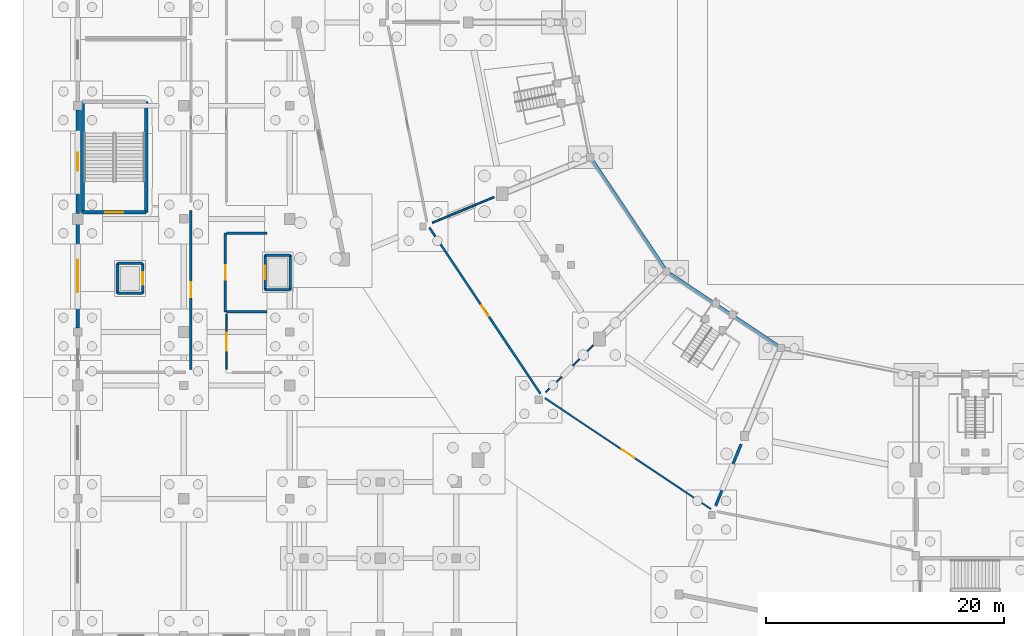
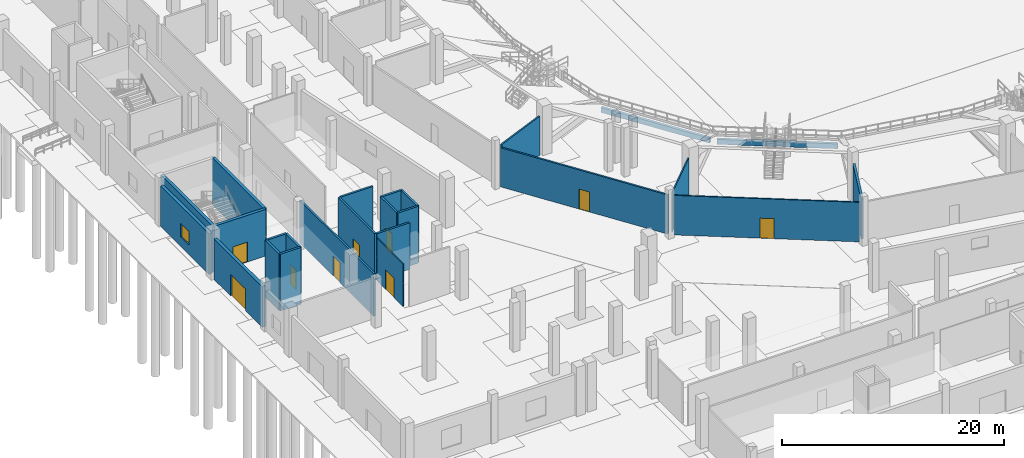
# One storey, part 25 of 68: 25 walls, 9 doors, 1 window, 10 openings.
"""IFC4 building model written with IfcOpenShell, lengths in metres."""

from ifc_helpers import new_model, si_unit, direction, frame, frame_2d, origin, place, context, subcontext, project, spatial, rectangle, extrude, material, layer, layer_set, type_object, element, fill, save


model = new_model("IFC4")

# Units and contexts
model_context = context("Model", 3, precision=1e-05, world=origin(), true_north=direction((0.0, 1.0)))
body_context = subcontext(model_context, "Body", "Model", "MODEL_VIEW")
ifc_project = project(units=[si_unit("LENGTHUNIT", "METRE"), si_unit("AREAUNIT", "SQUARE_METRE"), si_unit("VOLUMEUNIT", "CUBIC_METRE"), si_unit("PLANEANGLEUNIT", "RADIAN"), si_unit("MASSUNIT", "GRAM", prefix="KILO")], contexts=[model_context])

# Site, building, storey
site_placement = place(None, origin())
site = spatial("IfcSite", under=ifc_project, at=site_placement, CompositionType="ELEMENT")
building_placement = place(site_placement, origin())
building = spatial("IfcBuilding", under=site, at=building_placement, Name="Candeia Ridge Stadium", CompositionType="ELEMENT")
storey_placement = place(building_placement, origin())
storey = spatial("IfcBuildingStorey", under=building, at=storey_placement, Name="L00", CompositionType="ELEMENT", Elevation=0.0)

# Walls
ifc_material_1 = material(Name="Concrete Masonry Blockwork C25/30", Category="masonry")
ifc_layer_1 = layer(ifc_material_1, 0.14990234375, Name="Concrete Masonry Blockwork C25/30", Category="masonry")
ifc_layer_set_1 = layer_set([ifc_layer_1], Name="Concrete Masonry Blockwork C25/30")
wall_type_1 = type_object("IfcWallType", Name="Concourse Kiosk Partition 150", PredefinedType="PARTITIONING", material=ifc_layer_set_1)
wall_1_placement = place(storey_placement, frame((35.5693359375, 56.32421875, 0.0), z_axis=(0.0, 0.0, 1.0), x_axis=(-0.923879745429, -0.382682918336, 0.0)))
element("IfcWall", 1, at=wall_1_placement, inside=storey, type_object=wall_type_1, Name="Demising partition PT-L00-0139", PredefinedType="PARTITIONING", context=body_context, shape_type="SweptSolid", body=[
    extrude(rectangle(XDim=5.60009765625, YDim=0.14990234375, at=frame_2d((2.800048828125, 0.0))), origin(), (0.0, 0.0, 1.0), 4.304931640625),
])
ifc_material_2 = material(Name="Concrete C45/55", Category="concrete")
ifc_layer_2 = layer(ifc_material_2, 0.300048828125, Name="Concrete C45/55", Category="concrete")
ifc_layer_set_2 = layer_set([ifc_layer_2], Name="Concrete C45/55")
wall_type_2 = type_object("IfcWallType", Name="Core Shear Wall Concrete 300", PredefinedType="SHEAR", material=ifc_layer_set_2)
for number, where, z_axis, x_axis, name in (
    (2, (6.349609375, 55.05029296875, 0.0), (0.0, 0.0, 1.0), (0.0, 1.0, 0.0), "Core C05 left shear wall L00"),
    (3, (1.00048828125, 64.349609375, 0.0), (0.0, 0.0, 1.0), (0.0, -1.0, 0.0), "Core C05 right shear wall L00"),
):
    element("IfcWall", number, at=place(storey_placement, frame(where, z_axis=z_axis, x_axis=x_axis)), inside=storey, type_object=wall_type_2, Name=name, PredefinedType="SHEAR", context=body_context, shape_type="SweptSolid", body=[
        extrude(rectangle(XDim=9.29931640625, YDim=0.300048828125, at=frame_2d((4.649658203125, 0.0))), origin(), (0.0, 0.0, 1.0), 5.139892578125),
    ])

# Wall, opening, door
wall_2_placement = place(storey_placement, frame((1.00048828125, 55.05029296875, 0.0), z_axis=(0.0, 0.0, 1.0), x_axis=(1.0, 0.0, 0.0)))
wall_2 = element("IfcWall", 4, at=wall_2_placement, inside=storey, type_object=wall_type_2, Name="Core C05 near shear wall L00", PredefinedType="SHEAR", context=body_context, shape_type="SweptSolid", body=[
    extrude(rectangle(XDim=5.34912109375, YDim=0.300048828125, at=frame_2d((2.674560546875, 0.0))), origin(), (0.0, 0.0, 1.0), 5.139892578125),
])
opening_1_placement = place(wall_2_placement, frame((1.924560546875, 0.0, 0.0)))
opening_1 = element("IfcOpeningElement", 5, at=opening_1_placement, cuts=wall_2, Name="Opening FD01", PredefinedType="OPENING", context=body_context, shape_type="SweptSolid", body=[
    extrude(rectangle(XDim=1.5, YDim=2.199951171875, at=frame_2d((0.75, 1.10009765625))), frame((0.0, 0.159912109375, 0.0), z_axis=(0.0, -1.0, 0.0), x_axis=(1.0, 0.0, 0.0)), (0.0, 0.0, 1.0), 0.320068359375),
])
ifc_material_3 = material(Name="Galvanized Fire-Rated Steel", Category="steel")
door_type_1 = type_object("IfcDoorType", Name="Exit Stair Core Fire Door 1500x2200", OperationType="NOTDEFINED", PredefinedType="DOOR", material=ifc_material_3)
door_1_placement = place(opening_1_placement, frame((1.5, 0.0, 0.0), z_axis=(0.0, 0.0, 1.0), x_axis=(-1.0, 0.0, 0.0)))
door_1 = element("IfcDoor", 6, at=door_1_placement, inside=storey, type_object=door_type_1, Name="Exit stair fire door SD-ST05-L00", OperationType="DOUBLE_DOOR_SINGLE_SWING", OverallHeight=2.199951171875, OverallWidth=1.5, PredefinedType="DOOR", context=body_context, shape_type="SweptSolid", body=[
    extrude(rectangle(XDim=1.5, YDim=2.199951171875, at=frame_2d((0.75, 1.10009765625))), frame((0.0, 0.02490234375, 0.0), z_axis=(0.0, -1.0, 0.0), x_axis=(1.0, 0.0, 0.0)), (0.0, 0.0, 1.0), 0.050048828125),
])
fill(opening_1, door_1)

ifc_material_4 = material(Name="Gypsum Acoustic Twin-Stud Assembly", Category="gypsum")
ifc_layer_3 = layer(ifc_material_4, 0.179931640625, Name="Gypsum Acoustic Twin-Stud Assembly", Category="gypsum")
ifc_layer_set_3 = layer_set([ifc_layer_3], Name="Gypsum Acoustic Twin-Stud Assembly")
wall_type_3 = type_object("IfcWallType", Name="Corridor Fire Partition 180", PredefinedType="PARTITIONING", material=ifc_layer_set_3)
wall_3_placement = place(storey_placement, frame((39.465576171875, 39.8125, 0.0), z_axis=(0.0, 0.0, 1.0), x_axis=(-0.555572701103, 0.831467963177, 0.0)))
wall_3 = element("IfcWall", 7, at=wall_3_placement, inside=storey, type_object=wall_type_3, Name="Interior partition PT-L00-0140", PredefinedType="PARTITIONING", context=body_context, shape_type="SweptSolid", body=[
    extrude(rectangle(XDim=16.782958984375, YDim=0.179931640625, at=frame_2d((8.3916015625, 0.0))), origin(), (0.0, 0.0, 1.0), 4.304931640625),
])
opening_2_placement = place(wall_3_placement, frame((7.86669921875, 0.0, 0.0)))
opening_2 = element("IfcOpeningElement", 8, at=opening_2_placement, cuts=wall_3, Name="Opening ID01", PredefinedType="OPENING", context=body_context, shape_type="SweptSolid", body=[
    extrude(rectangle(XDim=1.050048828125, YDim=2.199951171875, at=frame_2d((0.52490234375, 1.10009765625))), frame((0.0, 0.099853515625, 0.0), z_axis=(0.0, -1.0, 0.0), x_axis=(1.0, 0.0, 0.0)), (0.0, 0.0, 1.0), 0.199951171875),
])
ifc_material_5 = material(Name="Western Red Cedar Acoustic Veneer", Category="wood")
door_type_2 = type_object("IfcDoorType", Name="Hospitality Suite Entrance Door 1050x2200", OperationType="NOTDEFINED", PredefinedType="DOOR", material=ifc_material_5)
door_2_placement = place(opening_2_placement, frame((1.050048828125, 0.0, 0.0), z_axis=(0.0, 0.0, 1.0), x_axis=(-1.0, 0.0, 0.0)))
door_2 = element("IfcDoor", 9, at=door_2_placement, inside=storey, type_object=door_type_2, Name="Interior room door D-L00-0074", OperationType="SINGLE_SWING_LEFT", OverallHeight=2.199951171875, OverallWidth=1.050048828125, PredefinedType="DOOR", context=body_context, shape_type="SweptSolid", body=[
    extrude(rectangle(XDim=1.050048828125, YDim=2.199951171875, at=frame_2d((0.52490234375, 1.10009765625))), frame((0.0, 0.02490234375, 0.0), z_axis=(0.0, -1.0, 0.0), x_axis=(1.0, 0.0, 0.0)), (0.0, 0.0, 1.0), 0.050048828125),
])
fill(opening_2, door_2)

# Wall
ifc_material_6 = material(Name="Moisture-Resistant Masonry & Tile", Category="masonry")
ifc_layer_4 = layer(ifc_material_6, 0.22998046875, Name="Moisture-Resistant Masonry & Tile", Category="masonry")
ifc_layer_set_4 = layer_set([ifc_layer_4], Name="Moisture-Resistant Masonry & Tile")
wall_type_4 = type_object("IfcWallType", Name="Dressing Suite Wet-Wall Chase 230", PredefinedType="PLUMBINGWALL", material=ifc_layer_set_4)
wall_4_placement = place(storey_placement, frame((56.32421875, 35.5693359375, 0.0), z_axis=(0.0, 0.0, 1.0), x_axis=(-0.382682918336, -0.923879745429, 0.0)))
element("IfcWall", 10, at=wall_4_placement, inside=storey, type_object=wall_type_4, Name="Demising partition PT-L00-0143", PredefinedType="PLUMBINGWALL", context=body_context, shape_type="SweptSolid", body=[
    extrude(rectangle(XDim=5.60009765625, YDim=0.22998046875, at=frame_2d((2.800048828125, 0.0))), origin(), (0.0, 0.0, 1.0), 4.375),
])

# Wall, opening, door
ifc_material_7 = material(Name="Concrete C35/45", Category="concrete")
ifc_layer_5 = layer(ifc_material_7, 0.320068359375, Name="Concrete C35/45", Category="concrete")
ifc_layer_set_5 = layer_set([ifc_layer_5], Name="Concrete C35/45")
wall_type_5 = type_object("IfcWallType", Name="Exterior Cedar-Clad Insulated Wall 320", PredefinedType="SOLIDWALL", material=ifc_layer_set_5)
wall_5_placement = place(storey_placement, frame((0.60009765625, 45.337890625, 0.0), z_axis=(0.0, 0.0, 1.0), x_axis=(0.0, 1.0, 0.0)))
wall_5 = element("IfcWall", 11, at=wall_5_placement, inside=storey, type_object=wall_type_5, Name="Exterior facade wall EW-L00-0048", PredefinedType="SOLIDWALL", context=body_context, shape_type="SweptSolid", body=[
    extrude(rectangle(XDim=8.72412109375, YDim=0.320068359375, at=frame_2d((4.362060546875, 0.0))), origin(), (0.0, 0.0, 1.0), 4.47509765625),
])
opening_3_placement = place(wall_5_placement, frame((2.987060546875, 0.0, 0.0)))
opening_3 = element("IfcOpeningElement", 12, at=opening_3_placement, cuts=wall_5, Name="Opening ED01", PredefinedType="OPENING", context=body_context, shape_type="SweptSolid", body=[
    extrude(rectangle(XDim=2.75, YDim=2.39990234375, at=frame_2d((1.375, 1.199951171875))), frame((0.0, 0.169921875, 0.0), z_axis=(0.0, -1.0, 0.0), x_axis=(1.0, 0.0, 0.0)), (0.0, 0.0, 1.0), 0.340087890625),
])
ifc_material_8 = material(Name="Aluminium Anodized Glazed Door", Category="aluminium")
door_type_3 = type_object("IfcDoorType", Name="Pedestrian Exit Double Door 2750x2400", OperationType="NOTDEFINED", PredefinedType="DOOR", material=ifc_material_8)
door_3_placement = place(opening_3_placement, origin())
door_3 = element("IfcDoor", 13, at=door_3_placement, inside=storey, type_object=door_type_3, Name="Pedestrian exit gate G03", OperationType="DOUBLE_DOOR_SINGLE_SWING", OverallHeight=2.39990234375, OverallWidth=2.75, PredefinedType="DOOR", context=body_context, shape_type="SweptSolid", body=[
    extrude(rectangle(XDim=2.75, YDim=2.39990234375, at=frame_2d((1.375, 1.199951171875))), frame((0.0, 0.02490234375, 0.0), z_axis=(0.0, -1.0, 0.0), x_axis=(1.0, 0.0, 0.0)), (0.0, 0.0, 1.0), 0.050048828125),
])
fill(opening_3, door_3)

# Wall, opening, window
wall_6_placement = place(storey_placement, frame((0.60009765625, 54.93798828125, 0.0), z_axis=(0.0, 0.0, 1.0), x_axis=(0.0, 1.0, 0.0)))
wall_6 = element("IfcWall", 14, at=wall_6_placement, inside=storey, type_object=wall_type_5, Name="Exterior facade wall EW-L00-0049", PredefinedType="SOLIDWALL", context=body_context, shape_type="SweptSolid", body=[
    extrude(rectangle(XDim=8.72412109375, YDim=0.320068359375, at=frame_2d((4.362060546875, 0.0))), origin(), (0.0, 0.0, 1.0), 4.47509765625),
])
opening_4_placement = place(wall_6_placement, frame((3.612060546875, 0.0, 1.050048828125)))
opening_4 = element("IfcOpeningElement", 15, at=opening_4_placement, cuts=wall_6, Name="Opening W14", PredefinedType="OPENING", context=body_context, shape_type="SweptSolid", body=[
    extrude(rectangle(XDim=1.5, YDim=1.5, at=frame_2d((0.75, 0.75))), frame((0.0, 0.169921875, 0.0), z_axis=(0.0, -1.0, 0.0), x_axis=(1.0, 0.0, 0.0)), (0.0, 0.0, 1.0), 0.340087890625),
])
ifc_material_9 = material(Name="Tempered Solar-Control Double Glazing", Category="glass")
window_type = type_object("IfcWindowType", Name="Medical & Admin Window 1500x1500", PartitioningType="SINGLE_PANEL", PredefinedType="WINDOW", material=ifc_material_9)
window_placement = place(opening_4_placement, origin())
window = element("IfcWindow", 16, at=window_placement, inside=storey, type_object=window_type, Name="Exterior window WIN-L00-010", OverallHeight=1.5, OverallWidth=1.5, PartitioningType="SINGLE_PANEL", PredefinedType="WINDOW", context=body_context, shape_type="SweptSolid", body=[
    extrude(rectangle(XDim=1.5, YDim=1.5, at=frame_2d((0.75, 0.75))), frame((0.0, 0.030029296875, 0.0), z_axis=(0.0, -1.0, 0.0), x_axis=(1.0, 0.0, 0.0)), (0.0, 0.0, 1.0), 0.06005859375),
])
fill(opening_4, window)

# Walls
ifc_layer_6 = layer(ifc_material_7, 0.199951171875, Name="Concrete C35/45", Category="concrete")
ifc_layer_set_6 = layer_set([ifc_layer_6], Name="Concrete C35/45")
wall_type_6 = type_object("IfcWallType", Name="Firefighting Lobby Rated Wall 200", PredefinedType="SOLIDWALL", material=ifc_layer_set_6)
for number, where, z_axis, x_axis, name in (
    (17, (13.10009765625, 46.699951171875, 0.0), (0.0, 0.0, 1.0), (1.0, 0.0, 0.0), "Firefighting lift lobby FF1 rated wall L00 south"),
    (18, (16.5, 53.300048828125, 0.0), (0.0, 0.0, 1.0), (-1.0, 0.0, 0.0), "Firefighting lift lobby FF1 rated wall L00 north"),
):
    element("IfcWall", number, at=place(storey_placement, frame(where, z_axis=z_axis, x_axis=x_axis)), inside=storey, type_object=wall_type_6, Name=name, PredefinedType="SOLIDWALL", context=body_context, shape_type="SweptSolid", body=[
        extrude(rectangle(XDim=3.39990234375, YDim=0.199951171875, at=frame_2d((1.699951171875, 0.0))), origin(), (0.0, 0.0, 1.0), 5.1201171875),
    ])

# Wall, opening, door
wall_7_placement = place(storey_placement, frame((13.0, 53.300048828125, 0.0), z_axis=(0.0, 0.0, 1.0), x_axis=(0.0, -1.0, 0.0)))
wall_7 = element("IfcWall", 19, at=wall_7_placement, inside=storey, type_object=wall_type_6, Name="Firefighting lift lobby FF1 rated wall L00 entry", PredefinedType="SOLIDWALL", context=body_context, shape_type="SweptSolid", body=[
    extrude(rectangle(XDim=6.60009765625, YDim=0.199951171875, at=frame_2d((3.300048828125, 0.0))), origin(), (0.0, 0.0, 1.0), 5.1201171875),
])
opening_5_placement = place(wall_7_placement, frame((2.699951171875, 0.0, 0.0)))
opening_5 = element("IfcOpeningElement", 20, at=opening_5_placement, cuts=wall_7, Name="Opening FD02", PredefinedType="OPENING", context=body_context, shape_type="SweptSolid", body=[
    extrude(rectangle(XDim=1.199951171875, YDim=2.199951171875, at=frame_2d((0.60009765625, 1.10009765625))), frame((0.0, 0.10986328125, 0.0), z_axis=(0.0, -1.0, 0.0), x_axis=(1.0, 0.0, 0.0)), (0.0, 0.0, 1.0), 0.219970703125),
])
door_type_4 = type_object("IfcDoorType", Name="Firefighting Lobby Fire Door 1200x2200", OperationType="NOTDEFINED", PredefinedType="DOOR", material=ifc_material_3)
door_4_placement = place(opening_5_placement, origin())
door_4 = element("IfcDoor", 21, at=door_4_placement, inside=storey, type_object=door_type_4, Name="Firefighting lobby fire door FFD-FF1-L00", OperationType="SINGLE_SWING_LEFT", OverallHeight=2.199951171875, OverallWidth=1.199951171875, PredefinedType="DOOR", context=body_context, shape_type="SweptSolid", body=[
    extrude(rectangle(XDim=1.199951171875, YDim=2.199951171875, at=frame_2d((0.60009765625, 1.10009765625))), frame((0.0, 0.02490234375, 0.0), z_axis=(0.0, -1.0, 0.0), x_axis=(1.0, 0.0, 0.0)), (0.0, 0.0, 1.0), 0.050048828125),
])
fill(opening_5, door_4)

ifc_material_10 = material(Name="Gypsum Metal-Stud Partition", Category="gypsum")
ifc_layer_7 = layer(ifc_material_10, 0.135009765625, Name="Gypsum Metal-Stud Partition", Category="gypsum")
ifc_layer_set_7 = layer_set([ifc_layer_7], Name="Gypsum Metal-Stud Partition")
wall_type_7 = type_object("IfcWallType", Name="General Room Partition 135", PredefinedType="PARTITIONING", material=ifc_layer_set_7)
wall_8_placement = place(storey_placement, frame((53.801025390625, 30.11865234375, 0.0), z_axis=(0.0, 0.0, 1.0), x_axis=(-0.831472453136, 0.555565981388, 0.0)))
wall_8 = element("IfcWall", 22, at=wall_8_placement, inside=storey, type_object=wall_type_7, Name="Interior partition PT-L00-0142", PredefinedType="PARTITIONING", context=body_context, shape_type="SweptSolid", body=[
    extrude(rectangle(XDim=16.783203125, YDim=0.135009765625, at=frame_2d((8.3916015625, 0.0))), origin(), (0.0, 0.0, 1.0), 4.344970703125),
])
opening_6_placement = place(wall_8_placement, frame((7.7666015625, 0.0, 0.0)))
opening_6 = element("IfcOpeningElement", 23, at=opening_6_placement, cuts=wall_8, Name="Opening ID11", PredefinedType="OPENING", context=body_context, shape_type="SweptSolid", body=[
    extrude(rectangle(XDim=1.25, YDim=2.199951171875, at=frame_2d((0.625, 1.10009765625))), frame((0.0, 0.077392578125, 0.0), z_axis=(0.0, -1.0, 0.0), x_axis=(1.0, 0.0, 0.0)), (0.0, 0.0, 1.0), 0.155029296875),
])
ifc_material_11 = material(Name="Acoustic Timber Studio Leaf", Category="wood")
door_type_5 = type_object("IfcDoorType", Name="Press Tribune Acoustic Door 1250x2200", OperationType="NOTDEFINED", PredefinedType="DOOR", material=ifc_material_11)
door_5_placement = place(opening_6_placement, frame((1.25, 0.0, 0.0), z_axis=(0.0, 0.0, 1.0), x_axis=(-1.0, 0.0, 0.0)))
door_5 = element("IfcDoor", 24, at=door_5_placement, inside=storey, type_object=door_type_5, Name="Interior room door D-L00-0075", OperationType="SINGLE_SWING_RIGHT", OverallHeight=2.199951171875, OverallWidth=1.25, PredefinedType="DOOR", context=body_context, shape_type="SweptSolid", body=[
    extrude(rectangle(XDim=1.25, YDim=2.199951171875, at=frame_2d((0.625, 1.10009765625))), frame((0.0, 0.02490234375, 0.0), z_axis=(0.0, -1.0, 0.0), x_axis=(1.0, 0.0, 0.0)), (0.0, 0.0, 1.0), 0.050048828125),
])
fill(opening_6, door_5)

# Walls
ifc_material_12 = material(Name="Concrete C40/50", Category="concrete")
ifc_layer_8 = layer(ifc_material_12, 0.219970703125, Name="Concrete C40/50", Category="concrete")
ifc_layer_set_8 = layer_set([ifc_layer_8], Name="Concrete C40/50")
wall_type_8 = type_object("IfcWallType", Name="Lift & Riser Shaft Wall 220", PredefinedType="SHEAR", material=ifc_layer_set_8)
wall_9_placement = place(storey_placement, frame((16.340087890625, 48.5400390625, -1.10009765625), z_axis=(0.0, 0.0, 1.0), x_axis=(1.0, 0.0, 0.0)))
element("IfcWall", 25, at=wall_9_placement, inside=storey, type_object=wall_type_8, Name="Lift FF1 shaft wall L00 south", PredefinedType="SHEAR", context=body_context, shape_type="SweptSolid", body=[
    extrude(rectangle(XDim=2.119873046875, YDim=0.219970703125, at=frame_2d((1.06005859375, 0.0))), origin(), (0.0, 0.0, 1.0), 6.239990234375),
])
wall_10_placement = place(storey_placement, frame((18.4599609375, 48.5400390625, -1.10009765625), z_axis=(0.0, 0.0, 1.0), x_axis=(0.0, 1.0, 0.0)))
element("IfcWall", 26, at=wall_10_placement, inside=storey, type_object=wall_type_8, Name="Lift FF1 shaft wall L00 east", PredefinedType="SHEAR", context=body_context, shape_type="SweptSolid", body=[
    extrude(rectangle(XDim=2.919921875, YDim=0.219970703125, at=frame_2d((1.4599609375, 0.0))), origin(), (0.0, 0.0, 1.0), 6.239990234375),
])
wall_11_placement = place(storey_placement, frame((18.4599609375, 51.4599609375, -1.10009765625), z_axis=(0.0, 0.0, 1.0), x_axis=(-1.0, 0.0, 0.0)))
element("IfcWall", 27, at=wall_11_placement, inside=storey, type_object=wall_type_8, Name="Lift FF1 shaft wall L00 north", PredefinedType="SHEAR", context=body_context, shape_type="SweptSolid", body=[
    extrude(rectangle(XDim=2.119873046875, YDim=0.219970703125, at=frame_2d((1.06005859375, 0.0))), origin(), (0.0, 0.0, 1.0), 6.239990234375),
])

# Wall, opening, door
wall_12_placement = place(storey_placement, frame((16.340087890625, 51.4599609375, -1.10009765625), z_axis=(0.0, 0.0, 1.0), x_axis=(0.0, -1.0, 0.0)))
wall_12 = element("IfcWall", 28, at=wall_12_placement, inside=storey, type_object=wall_type_8, Name="Lift FF1 shaft wall L00 west", PredefinedType="SHEAR", context=body_context, shape_type="SweptSolid", body=[
    extrude(rectangle(XDim=2.919921875, YDim=0.219970703125, at=frame_2d((1.4599609375, 0.0))), origin(), (0.0, 0.0, 1.0), 6.239990234375),
])
opening_7_placement = place(wall_12_placement, frame((0.909912109375, 0.0, 1.10009765625)))
opening_7 = element("IfcOpeningElement", 29, at=opening_7_placement, cuts=wall_12, Name="Opening LD01", PredefinedType="OPENING", context=body_context, shape_type="SweptSolid", body=[
    extrude(rectangle(XDim=1.10009765625, YDim=2.199951171875, at=frame_2d((0.550048828125, 1.10009765625))), frame((0.0, 0.119873046875, 0.0), z_axis=(0.0, -1.0, 0.0), x_axis=(1.0, 0.0, 0.0)), (0.0, 0.0, 1.0), 0.239990234375),
])
ifc_material_13 = material(Name="Brushed Stainless Steel", Category="steel")
door_type_6 = type_object("IfcDoorType", Name="Firefighting Lift Landing Door 1100x2200", OperationType="NOTDEFINED", PredefinedType="DOOR", material=ifc_material_13)
door_6_placement = place(opening_7_placement, origin())
door_6 = element("IfcDoor", 30, at=door_6_placement, inside=storey, type_object=door_type_6, Name="Lift landing sliding door LD-FF1-L00", OperationType="DOUBLE_DOOR_SLIDING", OverallHeight=2.199951171875, OverallWidth=1.10009765625, PredefinedType="DOOR", context=body_context, shape_type="SweptSolid", body=[
    extrude(rectangle(XDim=1.10009765625, YDim=2.199951171875, at=frame_2d((0.550048828125, 1.10009765625))), frame((0.0, 0.02490234375, 0.0), z_axis=(0.0, -1.0, 0.0), x_axis=(1.0, 0.0, 0.0)), (0.0, 0.0, 1.0), 0.050048828125),
])
fill(opening_7, door_6)

# Wall
wall_13_placement = place(storey_placement, frame((3.93994140625, 48.239990234375, -1.10009765625), z_axis=(0.0, 0.0, 1.0), x_axis=(1.0, 0.0, 0.0)))
element("IfcWall", 31, at=wall_13_placement, inside=storey, type_object=wall_type_8, Name="Lift VL1 shaft wall L00 south", PredefinedType="SHEAR", context=body_context, shape_type="SweptSolid", body=[
    extrude(rectangle(XDim=2.1201171875, YDim=0.219970703125, at=frame_2d((1.06005859375, 0.0))), origin(), (0.0, 0.0, 1.0), 6.239990234375),
])

# Wall, opening, door
wall_14_placement = place(storey_placement, frame((6.06005859375, 48.239990234375, -1.10009765625), z_axis=(0.0, 0.0, 1.0), x_axis=(0.0, 1.0, 0.0)))
wall_14 = element("IfcWall", 32, at=wall_14_placement, inside=storey, type_object=wall_type_8, Name="Lift VL1 shaft wall L00 east", PredefinedType="SHEAR", context=body_context, shape_type="SweptSolid", body=[
    extrude(rectangle(XDim=2.52001953125, YDim=0.219970703125, at=frame_2d((1.260009765625, 0.0))), origin(), (0.0, 0.0, 1.0), 6.239990234375),
])
opening_8_placement = place(wall_14_placement, frame((0.735107421875, 0.0, 1.10009765625)))
opening_8 = element("IfcOpeningElement", 33, at=opening_8_placement, cuts=wall_14, Name="Opening LD02", PredefinedType="OPENING", context=body_context, shape_type="SweptSolid", body=[
    extrude(rectangle(XDim=1.050048828125, YDim=2.14990234375, at=frame_2d((0.52490234375, 1.074951171875))), frame((0.0, 0.119873046875, 0.0), z_axis=(0.0, -1.0, 0.0), x_axis=(1.0, 0.0, 0.0)), (0.0, 0.0, 1.0), 0.239990234375),
])
door_type_7 = type_object("IfcDoorType", Name="Passenger Lift Landing Door 1050x2150", OperationType="NOTDEFINED", PredefinedType="DOOR", material=ifc_material_13)
door_7_placement = place(opening_8_placement, origin())
door_7 = element("IfcDoor", 34, at=door_7_placement, inside=storey, type_object=door_type_7, Name="Lift landing sliding door LD-VL1-L00", OperationType="DOUBLE_DOOR_SLIDING", OverallHeight=2.14990234375, OverallWidth=1.050048828125, PredefinedType="DOOR", context=body_context, shape_type="SweptSolid", body=[
    extrude(rectangle(XDim=1.050048828125, YDim=2.14990234375, at=frame_2d((0.52490234375, 1.074951171875))), frame((0.0, 0.02490234375, 0.0), z_axis=(0.0, -1.0, 0.0), x_axis=(1.0, 0.0, 0.0)), (0.0, 0.0, 1.0), 0.050048828125),
])
fill(opening_8, door_7)

# Walls
wall_15_placement = place(storey_placement, frame((6.06005859375, 50.760009765625, -1.10009765625), z_axis=(0.0, 0.0, 1.0), x_axis=(-1.0, 0.0, 0.0)))
element("IfcWall", 35, at=wall_15_placement, inside=storey, type_object=wall_type_8, Name="Lift VL1 shaft wall L00 north", PredefinedType="SHEAR", context=body_context, shape_type="SweptSolid", body=[
    extrude(rectangle(XDim=2.1201171875, YDim=0.219970703125, at=frame_2d((1.06005859375, 0.0))), origin(), (0.0, 0.0, 1.0), 6.239990234375),
])
wall_16_placement = place(storey_placement, frame((3.93994140625, 50.760009765625, -1.10009765625), z_axis=(0.0, 0.0, 1.0), x_axis=(0.0, -1.0, 0.0)))
element("IfcWall", 36, at=wall_16_placement, inside=storey, type_object=wall_type_8, Name="Lift VL1 shaft wall L00 west", PredefinedType="SHEAR", context=body_context, shape_type="SweptSolid", body=[
    extrude(rectangle(XDim=2.52001953125, YDim=0.219970703125, at=frame_2d((1.260009765625, 0.0))), origin(), (0.0, 0.0, 1.0), 6.239990234375),
])

# Wall, opening, door
ifc_material_14 = material(Name="Gypsum Acoustic Triple-Board Wall", Category="gypsum")
ifc_layer_9 = layer(ifc_material_14, 0.18994140625, Name="Gypsum Acoustic Triple-Board Wall", Category="gypsum")
ifc_layer_set_9 = layer_set([ifc_layer_9], Name="Gypsum Acoustic Triple-Board Wall")
wall_type_9 = type_object("IfcWallType", Name="Media & Commentary Studio Wall 190", PredefinedType="PARTITIONING", material=ifc_layer_set_9)
wall_17_placement = place(storey_placement, frame((10.10009765625, 55.219970703125, 0.0), z_axis=(0.0, 0.0, 1.0), x_axis=(0.0, -1.0, 0.0)))
wall_17 = element("IfcWall", 37, at=wall_17_placement, inside=storey, type_object=wall_type_9, Name="Interior partition PT-L00-0001", PredefinedType="PARTITIONING", context=body_context, shape_type="SweptSolid", body=[
    extrude(rectangle(XDim=13.365966796875, YDim=0.18994140625, at=frame_2d((6.68310546875, 0.0))), origin(), (0.0, 0.0, 1.0), 4.66796875),
])
opening_9_placement = place(wall_17_placement, frame((6.05810546875, 0.0, 0.0)))
opening_9 = element("IfcOpeningElement", 38, at=opening_9_placement, cuts=wall_17, Name="Opening ID11", PredefinedType="OPENING", context=body_context, shape_type="SweptSolid", body=[
    extrude(rectangle(XDim=1.25, YDim=2.199951171875, at=frame_2d((0.625, 1.10009765625))), frame((0.0, 0.10498046875, 0.0), z_axis=(0.0, -1.0, 0.0), x_axis=(1.0, 0.0, 0.0)), (0.0, 0.0, 1.0), 0.2099609375),
])
door_8_placement = place(opening_9_placement, origin())
door_8 = element("IfcDoor", 39, at=door_8_placement, inside=storey, type_object=door_type_5, Name="Interior room door D-L00-0001", OperationType="SINGLE_SWING_LEFT", OverallHeight=2.199951171875, OverallWidth=1.25, PredefinedType="DOOR", context=body_context, shape_type="SweptSolid", body=[
    extrude(rectangle(XDim=1.25, YDim=2.199951171875, at=frame_2d((0.625, 1.10009765625))), frame((0.0, 0.02490234375, 0.0), z_axis=(0.0, -1.0, 0.0), x_axis=(1.0, 0.0, 0.0)), (0.0, 0.0, 1.0), 0.050048828125),
])
fill(opening_9, door_8)

# Walls
ifc_layer_10 = layer(ifc_material_2, 0.264892578125, Name="Concrete C45/55", Category="concrete")
ifc_layer_set_10 = layer_set([ifc_layer_10], Name="Concrete C45/55")
wall_type_10 = type_object("IfcWallType", Name="Pitch-Side Moat Retaining Wall 265", PredefinedType="SOLIDWALL", material=ifc_layer_set_10)
for number, where, z_axis, x_axis, name in (
    (40, (43.830810546875, 59.406494140625, 0.0), (0.0, 0.0, 1.0), (0.555577827724, -0.831464537633, 0.0), "Pitch-side moat wall EW-L00-0024"),
    (41, (50.335693359375, 49.891845703125, 0.0), (0.0, 0.0, 1.0), (0.831464537633, -0.555577827724, 0.0), "Pitch-side moat wall EW-L00-0025"),
):
    element("IfcWall", number, at=place(storey_placement, frame(where, z_axis=z_axis, x_axis=x_axis)), inside=storey, type_object=wall_type_10, Name=name, PredefinedType="SOLIDWALL", context=body_context, shape_type="SweptSolid", body=[
        extrude(rectangle(XDim=10.909423828125, YDim=0.264892578125, at=frame_2d((5.45458984375, 0.0))), origin(), (0.0, 0.0, 1.0), 0.5400390625),
    ])

# Wall, opening, door
ifc_layer_11 = layer(ifc_material_10, 0.1201171875, Name="Gypsum Metal-Stud Partition", Category="gypsum")
ifc_layer_set_11 = layer_set([ifc_layer_11], Name="Gypsum Metal-Stud Partition")
wall_type_11 = type_object("IfcWallType", Name="Suite Internal Divider 120", PredefinedType="PARTITIONING", material=ifc_layer_set_11)
wall_18_placement = place(storey_placement, frame((13.10009765625, 41.85400390625, 0.0), z_axis=(0.0, 0.0, 1.0), x_axis=(0.0, 1.0, 0.0)))
wall_18 = element("IfcWall", 42, at=wall_18_placement, inside=storey, type_object=wall_type_11, Name="Interior partition PT-L00-0003", PredefinedType="PARTITIONING", context=body_context, shape_type="SweptSolid", body=[
    extrude(rectangle(XDim=4.656005859375, YDim=0.1201171875, at=frame_2d((2.328125, 0.0))), origin(), (0.0, 0.0, 1.0), 4.66796875),
])
opening_10_placement = place(wall_18_placement, frame((1.552978515625, 0.0, 0.0)))
opening_10 = element("IfcOpeningElement", 43, at=opening_10_placement, cuts=wall_18, Name="Opening ID14", PredefinedType="OPENING", context=body_context, shape_type="SweptSolid", body=[
    extrude(rectangle(XDim=1.550048828125, YDim=2.14990234375, at=frame_2d((0.77490234375, 1.074951171875))), frame((0.0, 0.070068359375, 0.0), z_axis=(0.0, -1.0, 0.0), x_axis=(1.0, 0.0, 0.0)), (0.0, 0.0, 1.0), 0.14013671875),
])
door_type_8 = type_object("IfcDoorType", Name="Catering Kitchen Double Door 1550x2150", OperationType="NOTDEFINED", PredefinedType="DOOR", material=ifc_material_13)
door_9_placement = place(opening_10_placement, origin())
door_9 = element("IfcDoor", 44, at=door_9_placement, inside=storey, type_object=door_type_8, Name="Interior room door D-L00-0002", OperationType="DOUBLE_DOOR_SINGLE_SWING", OverallHeight=2.14990234375, OverallWidth=1.550048828125, PredefinedType="DOOR", context=body_context, shape_type="SweptSolid", body=[
    extrude(rectangle(XDim=1.550048828125, YDim=2.14990234375, at=frame_2d((0.77490234375, 1.074951171875))), frame((0.0, 0.02490234375, 0.0), z_axis=(0.0, -1.0, 0.0), x_axis=(1.0, 0.0, 0.0)), (0.0, 0.0, 1.0), 0.050048828125),
])
fill(opening_10, door_9)

# Wall
wall_19_placement = place(storey_placement, frame((43.882568359375, 43.882568359375, 0.0), z_axis=(0.0, 0.0, 1.0), x_axis=(-0.707106781187, -0.707106781187, 0.0)))
element("IfcWall", 45, at=wall_19_placement, inside=storey, type_object=wall_type_11, Name="Demising partition PT-L00-0141", PredefinedType="PARTITIONING", context=body_context, shape_type="SweptSolid", body=[
    extrude(rectangle(XDim=5.600341796875, YDim=0.1201171875, at=frame_2d((2.80029296875, 0.0))), origin(), (0.0, 0.0, 1.0), 4.344970703125),
])

save(model, "model.ifc")
